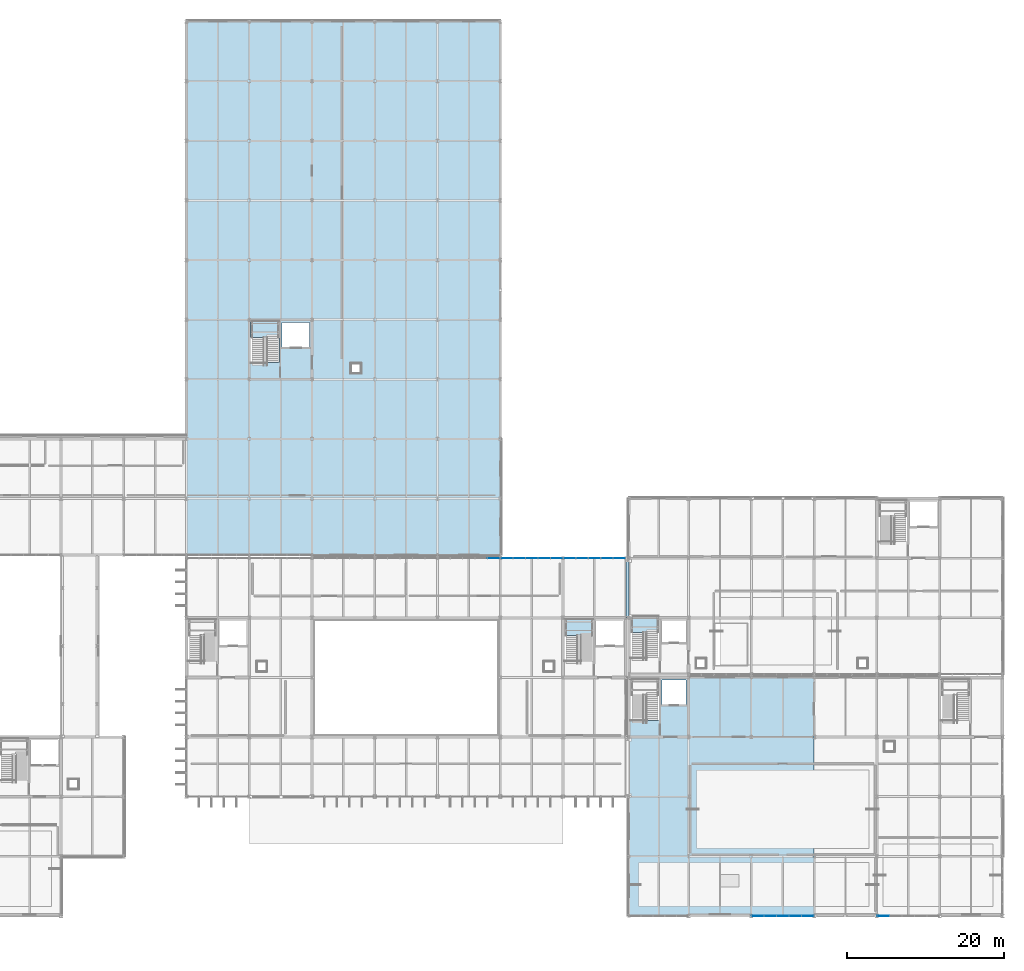
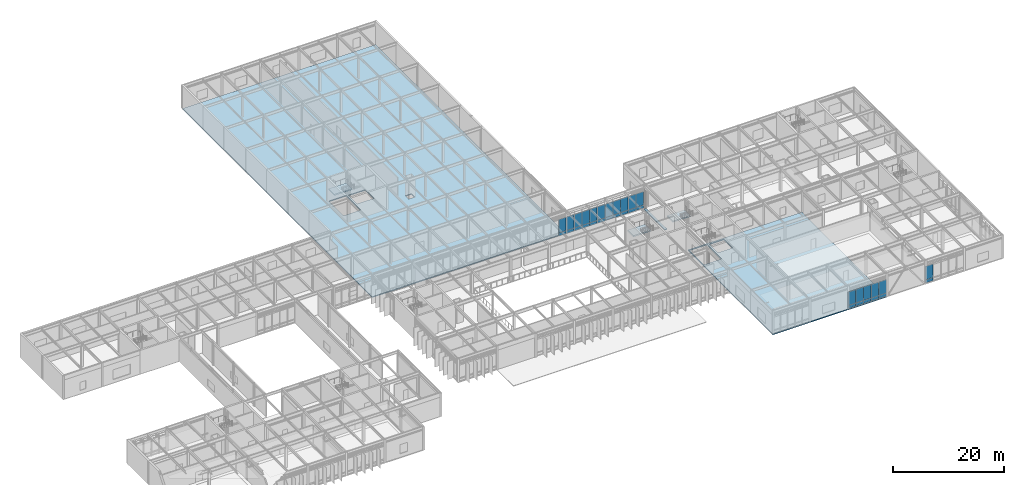
# One storey, part 65 of 94: 34 plates, 6 slabs, 8 elements without a shape of their own.
"""IFC4 building model written with IfcOpenShell, lengths in metres."""

import ifcopenshell
import ifcopenshell.guid

model = None  # the IFC model being written
_history = None  # IfcOwnerHistory: only IFC2X3 demands one
_inside = {}  # id of a spatial element -> (the spatial element, [elements in it])
_under = {}  # id of a project, library or spatial element -> (it, [spatial elements below it])
_declared = {}  # id of a project -> (the project, [libraries it declares])
_typed = {}  # id of a type object -> (the type object, [elements of that type])
_made_of = {}  # id of a material, layer set ... -> (it, [elements and type objects made of it])


def new_model(schema):
    """Start an empty IFC model of exactly this schema.

    Asked for "IFC4X3", IfcOpenShell would pick the latest addendum, in which some entities
    have other attributes; the version numbers below select the first issue.
    IFC2X3 requires an IfcOwnerHistory on every rooted entity: one is made here for all.
    """
    global model, _history
    if schema == "IFC4X3":
        model = ifcopenshell.file(schema_version=(4, 3, 0, 0))
    else:
        model = ifcopenshell.file(schema=schema)
    _inside.clear()
    _under.clear()
    _declared.clear()
    _typed.clear()
    _made_of.clear()
    _history = None
    if model.schema == "IFC2X3":
        org = make("IfcOrganization", Name="unknown")
        user = make(
            "IfcPersonAndOrganization",
            ThePerson=make("IfcPerson", FamilyName="unknown"),
            TheOrganization=org,
        )
        app = make(
            "IfcApplication",
            ApplicationDeveloper=org,
            Version="unknown",
            ApplicationFullName="unknown",
            ApplicationIdentifier="unknown",
        )
        _history = make(
            "IfcOwnerHistory",
            OwningUser=user,
            OwningApplication=app,
            ChangeAction="ADDED",
            CreationDate=0,
        )
    return model


def make(cls, **values):
    """One entity of the class cls with the attributes given. An attribute that is None is left unset."""
    return model.create_entity(
        cls, **{name: value for name, value in values.items() if value is not None}
    )


def rooted(cls, **values):
    """An entity with a GlobalId (a new one), such as an element, a storey or a relation."""
    return make(cls, GlobalId=ifcopenshell.guid.new(), OwnerHistory=_history, **values)


def si_unit(unit_type, name, prefix=None):
    """IfcSIUnit, for example si_unit("LENGTHUNIT", "METRE", prefix="MILLI")."""
    return make("IfcSIUnit", UnitType=unit_type, Prefix=prefix, Name=name)


def assignment(units):
    """IfcUnitAssignment: the units of a project."""
    return None if units is None else make("IfcUnitAssignment", Units=units)


def point(xyz):
    """IfcCartesianPoint."""
    return None if xyz is None else make("IfcCartesianPoint", Coordinates=xyz)


def direction(xyz):
    """IfcDirection."""
    return None if xyz is None else make("IfcDirection", DirectionRatios=xyz)


def frame(location, z_axis=None, x_axis=None):
    """IfcAxis2Placement3D, a coordinate frame: its origin and axes. An axis left out is left unset."""
    return make(
        "IfcAxis2Placement3D",
        Location=point(location),
        Axis=direction(z_axis),
        RefDirection=direction(x_axis),
    )


def frame_2d(location, x_axis=None):
    """IfcAxis2Placement2D, a coordinate frame in the plane: its origin and x axis."""
    return make(
        "IfcAxis2Placement2D", Location=point(location), RefDirection=direction(x_axis)
    )


def origin():
    """The frame at (0, 0, 0) with its axes left unset."""
    return frame((0.0, 0.0, 0.0))


def origin_2d():
    """The frame at (0, 0) in the plane with its x axis left unset."""
    return frame_2d((0.0, 0.0))


def place(relative_to, where):
    """IfcLocalPlacement: puts the frame where relative to a parent placement (None: the world)."""
    return make(
        "IfcLocalPlacement", PlacementRelTo=relative_to, RelativePlacement=where
    )


def context(
    kind, dimensions, precision=None, world=None, true_north=None, identifier=None
):
    """IfcGeometricRepresentationContext, for example the 3D "Model" context."""
    return make(
        "IfcGeometricRepresentationContext",
        ContextIdentifier=identifier,
        ContextType=kind,
        CoordinateSpaceDimension=dimensions,
        Precision=precision,
        WorldCoordinateSystem=world,
        TrueNorth=true_north,
    )


def subcontext(parent, identifier, kind, view, scale=None):
    """IfcGeometricRepresentationSubContext, for example "Body" below "Model"."""
    return make(
        "IfcGeometricRepresentationSubContext",
        ContextIdentifier=identifier,
        ContextType=kind,
        ParentContext=parent,
        TargetScale=scale,
        TargetView=view,
    )


def project(units=None, contexts=None):
    """IfcProject with its units and contexts."""
    return rooted(
        "IfcProject",
        Name="project",
        RepresentationContexts=contexts,
        UnitsInContext=assignment(units),
    )


def spatial(cls, under=None, at=None, **own):
    """A site, building, storey or space (cls), placed at a placement, below another one or the project."""
    s = rooted(cls, ObjectPlacement=at, **own)
    if under is not None:
        _under.setdefault(under.id(), (under, []))[1].append(s)
    return s


def polyline(points):
    """IfcPolyline through the points."""
    return make("IfcPolyline", Points=[point(p) for p in points])


def profile(cls, at=None, kind="AREA", **sizes):
    """A parametric profile (cls). Its sizes go by their IFC names, for example OverallWidth=200.0."""
    return make(cls, ProfileType=kind, Position=at, **sizes)


def rectangle(**sizes):
    """IfcRectangleProfileDef."""
    return profile("IfcRectangleProfileDef", **sizes)


def outline(outer, holes=None, kind="AREA"):
    """IfcArbitraryClosedProfileDef: a profile drawn as a closed curve; with holes, ...WithVoids."""
    if holes is None:
        return make("IfcArbitraryClosedProfileDef", ProfileType=kind, OuterCurve=outer)
    return make(
        "IfcArbitraryProfileDefWithVoids",
        ProfileType=kind,
        OuterCurve=outer,
        InnerCurves=holes,
    )


def extrude(swept, where, along, depth):
    """IfcExtrudedAreaSolid: the profile swept, set in the frame where, extruded along a direction by depth."""
    return make(
        "IfcExtrudedAreaSolid",
        SweptArea=swept,
        Position=where,
        ExtrudedDirection=direction(along),
        Depth=depth,
    )


def shape(context_of_items, identifier, shape_type, items):
    """IfcShapeRepresentation: the items that make up one representation, for example the "Body"."""
    return make(
        "IfcShapeRepresentation",
        ContextOfItems=context_of_items,
        RepresentationIdentifier=identifier,
        RepresentationType=shape_type,
        Items=items,
    )


def material(Name=None, Category=None):
    """IfcMaterial."""
    return make("IfcMaterial", Name=Name, Category=Category)


def layer(
    of_material, thickness, ventilated=None, Name=None, Category=None, Priority=None
):
    """IfcMaterialLayer: one layer of a wall or slab, of a material (None: an air gap)."""
    return make(
        "IfcMaterialLayer",
        Material=of_material,
        LayerThickness=thickness,
        IsVentilated=ventilated,
        Name=Name,
        Category=Category,
        Priority=Priority,
    )


def layer_set(layers, Name=None):
    """IfcMaterialLayerSet."""
    return make("IfcMaterialLayerSet", MaterialLayers=layers, LayerSetName=Name)


def made_of(thing, what):
    """Note that an element or type object is made of a material, layer set ...; save() writes the relation."""
    if what is not None:
        _made_of.setdefault(what.id(), (what, []))[1].append(thing)
    return thing


def type_object(cls, material=None, **own):
    """A type object (cls), such as IfcWallType, which elements share."""
    return made_of(rooted(cls, **own), material)


def element(
    cls,
    number,
    at=None,
    inside=None,
    cuts=None,
    type_object=None,
    material=None,
    context=None,
    identifier="Body",
    shape_type=None,
    held_by="IfcProductDefinitionShape",
    body=None,
    shapes=None,
    **own,
):
    """One element of the class cls, such as IfcWall. Its Tag is "e" and its number.

    at: its placement. inside: the storey or other place that contains it. cuts: it is an
    opening in that element (IfcRelVoidsElement). A single representation is given by context,
    identifier, shape_type and body (its items); several are given by shapes. held_by: the class
    of the entity that holds the representations. save() writes the other relations.
    """
    e = rooted(cls, Tag="e%d" % number, ObjectPlacement=at, **own)
    if body is not None:
        shapes = [shape(context, identifier, shape_type, body)]
    if shapes is not None:
        e.Representation = make(held_by, Representations=shapes)
    if inside is not None:
        _inside.setdefault(inside.id(), (inside, []))[1].append(e)
    if cuts is not None:
        rooted(
            "IfcRelVoidsElement", RelatingBuildingElement=cuts, RelatedOpeningElement=e
        )
    if type_object is not None:
        _typed.setdefault(type_object.id(), (type_object, []))[1].append(e)
    return made_of(e, material)


def aggregate(whole, parts):
    """IfcRelAggregates: a whole, such as a stair, and the parts it consists of."""
    return rooted("IfcRelAggregates", RelatingObject=whole, RelatedObjects=parts)


def save(model, path):
    """Write the relations noted so far, then the file.

    IfcRelAggregates (storeys below a building ...), IfcRelContainedInSpatialStructure (elements
    in a storey), IfcRelDefinesByType, IfcRelAssociatesMaterial and IfcRelDeclares: one each for
    every whole, place, type object, material and project.
    """
    for whole, parts in _under.values():
        aggregate(whole, parts)
    for where, things in _inside.values():
        rooted(
            "IfcRelContainedInSpatialStructure",
            RelatedElements=things,
            RelatingStructure=where,
        )
    for kind, things in _typed.values():
        rooted("IfcRelDefinesByType", RelatedObjects=things, RelatingType=kind)
    for what, things in _made_of.values():
        rooted("IfcRelAssociatesMaterial", RelatedObjects=things, RelatingMaterial=what)
    for by, libraries in _declared.values():
        rooted("IfcRelDeclares", RelatingContext=by, RelatedDefinitions=libraries)
    model.write(path)


model = new_model("IFC4")

# Units and contexts
model_context = context("Model", 3, precision=1e-05, world=origin(), true_north=direction((0.0, 1.0)))
body_context = subcontext(model_context, "Body", "Model", "MODEL_VIEW")
ifc_project = project(units=[si_unit("LENGTHUNIT", "METRE"), si_unit("AREAUNIT", "SQUARE_METRE"), si_unit("VOLUMEUNIT", "CUBIC_METRE"), si_unit("PLANEANGLEUNIT", "RADIAN"), si_unit("MASSUNIT", "GRAM", prefix="KILO")], contexts=[model_context])

# Site, building, storey
site_placement = place(None, origin())
site = spatial("IfcSite", under=ifc_project, at=site_placement, CompositionType="ELEMENT")
building_placement = place(site_placement, origin())
building = spatial("IfcBuilding", under=site, at=building_placement, Name="Zulena Civic Courthouse", CompositionType="ELEMENT")
storey_placement = place(building_placement, frame((0.0, 0.0, 5.39990234375)))
storey = spatial("IfcBuildingStorey", under=building, at=storey_placement, Name="L01", CompositionType="ELEMENT", Elevation=5.39990234375)

# Slab
ifc_material_1 = material(Name="Concrete C35/45", Category="concrete")
ifc_layer_1 = layer(ifc_material_1, 0.195068359375)
ifc_layer_set_1 = layer_set([ifc_layer_1], Name="Concrete C35/45")
slab_type_1 = type_object("IfcSlabType", Name="BridgeSlab_195", PredefinedType="FLOOR", material=ifc_layer_set_1)
slab_1_placement = place(storey_placement, frame((0.0, 0.0, -0.19482421875)))
element("IfcSlab", 1, at=slab_1_placement, inside=storey, type_object=slab_type_1, Name="slab:bridge:BR-43:L01", PredefinedType="FLOOR", context=body_context, shape_type="SweptSolid", body=[
    extrude(outline(polyline([(124.0, 38.0), (124.39990234375, 38.0), (124.39990234375, 45.39990234375), (124.0, 45.39990234375), (124.0, 38.0)])), origin(), (0.0, 0.0, 1.0), 0.19482421875),
])

# Curtain wall, plate
ifc_material_2 = material(Name="Double-silver low-E laminated solar-control glass", Category="glass")
curtain_wall_type = type_object("IfcCurtainWallType", Name="CW_7952x4280", PredefinedType="USERDEFINED", material=ifc_material_2)
curtain_wall_1_placement = place(storey_placement, origin())
curtain_wall_1 = element("IfcCurtainWall", 2, at=curtain_wall_1_placement, inside=storey, type_object=curtain_wall_type, Name="cw:V1:L01:3:1", ObjectType="UNITISED CURTAIN WALL", PredefinedType="USERDEFINED")
ifc_material_3 = material(Name="Ceramic-fritted insulated spandrel glass", Category="glass")
ifc_layer_2 = layer(ifc_material_3, 0.0458984375)
ifc_layer_set_2 = layer_set([ifc_layer_2], Name="Ceramic-fritted insulated spandrel glass")
plate_type_1 = type_object("IfcPlateType", Name="CWPanel_Spandrel_46", PredefinedType="CURTAIN_PANEL", material=ifc_layer_set_2)
plate_1_placement = place(storey_placement, frame((156.819091796875, 0.0, 0.070068359375), z_axis=(0.0, 0.0, 1.0), x_axis=(-1.0, 0.0, 0.0)))
plate_1 = element("IfcPlate", 3, at=plate_1_placement, type_object=plate_type_1, Name="cw:V1:L01:3:1:panS:4", PredefinedType="CURTAIN_PANEL", context=body_context, shape_type="SweptSolid", body=[
    extrude(rectangle(XDim=1.5400390625, YDim=0.0458984375, at=origin_2d()), origin(), (0.0, 0.0, 1.0), 0.669921875),
])

# Curtain wall, plates
curtain_wall_2_placement = place(storey_placement, origin())
curtain_wall_2 = element("IfcCurtainWall", 4, at=curtain_wall_2_placement, inside=storey, type_object=curtain_wall_type, Name="cw:V1:L01:3:3", ObjectType="UNITISED CURTAIN WALL", PredefinedType="USERDEFINED")
plate_2_placement = place(storey_placement, frame((147.180908203125, 0.0, 0.070068359375), z_axis=(0.0, 0.0, 1.0), x_axis=(-1.0, 0.0, 0.0)))
plate_2 = element("IfcPlate", 5, at=plate_2_placement, type_object=plate_type_1, Name="cw:V1:L01:3:3:panS:0", PredefinedType="CURTAIN_PANEL", context=body_context, shape_type="SweptSolid", body=[
    extrude(rectangle(XDim=1.5400390625, YDim=0.0458984375, at=origin_2d()), origin(), (0.0, 0.0, 1.0), 0.669921875),
])
plate_3_placement = place(storey_placement, frame((145.59033203125, 0.0, 0.070068359375), z_axis=(0.0, 0.0, 1.0), x_axis=(-1.0, 0.0, 0.0)))
plate_3 = element("IfcPlate", 6, at=plate_3_placement, type_object=plate_type_1, Name="cw:V1:L01:3:3:panS:1", PredefinedType="CURTAIN_PANEL", context=body_context, shape_type="SweptSolid", body=[
    extrude(rectangle(XDim=1.5400390625, YDim=0.0458984375, at=origin_2d()), origin(), (0.0, 0.0, 1.0), 0.669921875),
])
plate_4_placement = place(storey_placement, frame((144.0, 0.0, 0.070068359375), z_axis=(0.0, 0.0, 1.0), x_axis=(-1.0, 0.0, 0.0)))
plate_4 = element("IfcPlate", 7, at=plate_4_placement, type_object=plate_type_1, Name="cw:V1:L01:3:3:panS:2", PredefinedType="CURTAIN_PANEL", context=body_context, shape_type="SweptSolid", body=[
    extrude(rectangle(XDim=1.5400390625, YDim=0.0458984375, at=origin_2d()), origin(), (0.0, 0.0, 1.0), 0.669921875),
])
plate_5_placement = place(storey_placement, frame((142.40966796875, 0.0, 0.070068359375), z_axis=(0.0, 0.0, 1.0), x_axis=(-1.0, 0.0, 0.0)))
plate_5 = element("IfcPlate", 8, at=plate_5_placement, type_object=plate_type_1, Name="cw:V1:L01:3:3:panS:3", PredefinedType="CURTAIN_PANEL", context=body_context, shape_type="SweptSolid", body=[
    extrude(rectangle(XDim=1.5400390625, YDim=0.0458984375, at=origin_2d()), origin(), (0.0, 0.0, 1.0), 0.669921875),
])
plate_6_placement = place(storey_placement, frame((140.819091796875, 0.0, 0.070068359375), z_axis=(0.0, 0.0, 1.0), x_axis=(-1.0, 0.0, 0.0)))
plate_6 = element("IfcPlate", 9, at=plate_6_placement, type_object=plate_type_1, Name="cw:V1:L01:3:3:panS:4", PredefinedType="CURTAIN_PANEL", context=body_context, shape_type="SweptSolid", body=[
    extrude(rectangle(XDim=1.5400390625, YDim=0.0458984375, at=origin_2d()), origin(), (0.0, 0.0, 1.0), 0.669921875),
])

# Curtain wall, plate
curtain_wall_3_placement = place(storey_placement, origin())
curtain_wall_3 = element("IfcCurtainWall", 10, at=curtain_wall_3_placement, inside=storey, type_object=curtain_wall_type, Name="cw:V4:L01:1:4", ObjectType="UNITISED CURTAIN WALL", PredefinedType="USERDEFINED")
plate_7_placement = place(storey_placement, frame((107.180908203125, 45.60009765625, 0.070068359375), z_axis=(0.0, 0.0, 1.0), x_axis=(1.0, 0.0, 0.0)))
plate_7 = element("IfcPlate", 11, at=plate_7_placement, type_object=plate_type_1, Name="cw:V4:L01:1:4:panS:4", PredefinedType="CURTAIN_PANEL", context=body_context, shape_type="SweptSolid", body=[
    extrude(rectangle(XDim=1.5400390625, YDim=0.0458984375, at=origin_2d()), origin(), (0.0, 0.0, 1.0), 0.669921875),
])

# Curtain wall, plates
curtain_wall_4_placement = place(storey_placement, origin())
curtain_wall_4 = element("IfcCurtainWall", 12, at=curtain_wall_4_placement, inside=storey, type_object=curtain_wall_type, Name="cw:V4:L01:1:5", ObjectType="UNITISED CURTAIN WALL", PredefinedType="USERDEFINED")
plate_8_placement = place(storey_placement, frame((108.819091796875, 45.60009765625, 0.070068359375), z_axis=(0.0, 0.0, 1.0), x_axis=(1.0, 0.0, 0.0)))
plate_8 = element("IfcPlate", 13, at=plate_8_placement, type_object=plate_type_1, Name="cw:V4:L01:1:5:panS:0", PredefinedType="CURTAIN_PANEL", context=body_context, shape_type="SweptSolid", body=[
    extrude(rectangle(XDim=1.5400390625, YDim=0.0458984375, at=origin_2d()), origin(), (0.0, 0.0, 1.0), 0.669921875),
])
plate_9_placement = place(storey_placement, frame((110.40966796875, 45.60009765625, 0.070068359375), z_axis=(0.0, 0.0, 1.0), x_axis=(1.0, 0.0, 0.0)))
plate_9 = element("IfcPlate", 14, at=plate_9_placement, type_object=plate_type_1, Name="cw:V4:L01:1:5:panS:1", PredefinedType="CURTAIN_PANEL", context=body_context, shape_type="SweptSolid", body=[
    extrude(rectangle(XDim=1.5400390625, YDim=0.0458984375, at=origin_2d()), origin(), (0.0, 0.0, 1.0), 0.669921875),
])
plate_10_placement = place(storey_placement, frame((112.0, 45.60009765625, 0.070068359375), z_axis=(0.0, 0.0, 1.0), x_axis=(1.0, 0.0, 0.0)))
plate_10 = element("IfcPlate", 15, at=plate_10_placement, type_object=plate_type_1, Name="cw:V4:L01:1:5:panS:2", PredefinedType="CURTAIN_PANEL", context=body_context, shape_type="SweptSolid", body=[
    extrude(rectangle(XDim=1.5400390625, YDim=0.0458984375, at=origin_2d()), origin(), (0.0, 0.0, 1.0), 0.669921875),
])
plate_11_placement = place(storey_placement, frame((113.59033203125, 45.60009765625, 0.070068359375), z_axis=(0.0, 0.0, 1.0), x_axis=(1.0, 0.0, 0.0)))
plate_11 = element("IfcPlate", 16, at=plate_11_placement, type_object=plate_type_1, Name="cw:V4:L01:1:5:panS:3", PredefinedType="CURTAIN_PANEL", context=body_context, shape_type="SweptSolid", body=[
    extrude(rectangle(XDim=1.5400390625, YDim=0.0458984375, at=origin_2d()), origin(), (0.0, 0.0, 1.0), 0.669921875),
])
plate_12_placement = place(storey_placement, frame((115.180908203125, 45.60009765625, 0.070068359375), z_axis=(0.0, 0.0, 1.0), x_axis=(1.0, 0.0, 0.0)))
plate_12 = element("IfcPlate", 17, at=plate_12_placement, type_object=plate_type_1, Name="cw:V4:L01:1:5:panS:4", PredefinedType="CURTAIN_PANEL", context=body_context, shape_type="SweptSolid", body=[
    extrude(rectangle(XDim=1.5400390625, YDim=0.0458984375, at=origin_2d()), origin(), (0.0, 0.0, 1.0), 0.669921875),
])

curtain_wall_5_placement = place(storey_placement, origin())
curtain_wall_5 = element("IfcCurtainWall", 18, at=curtain_wall_5_placement, inside=storey, type_object=curtain_wall_type, Name="cw:V4:L01:1:6", ObjectType="UNITISED CURTAIN WALL", PredefinedType="USERDEFINED")
plate_13_placement = place(storey_placement, frame((116.819091796875, 45.60009765625, 0.070068359375), z_axis=(0.0, 0.0, 1.0), x_axis=(1.0, 0.0, 0.0)))
plate_13 = element("IfcPlate", 19, at=plate_13_placement, type_object=plate_type_1, Name="cw:V4:L01:1:6:panS:0", PredefinedType="CURTAIN_PANEL", context=body_context, shape_type="SweptSolid", body=[
    extrude(rectangle(XDim=1.5400390625, YDim=0.0458984375, at=origin_2d()), origin(), (0.0, 0.0, 1.0), 0.669921875),
])
plate_14_placement = place(storey_placement, frame((118.40966796875, 45.60009765625, 0.070068359375), z_axis=(0.0, 0.0, 1.0), x_axis=(1.0, 0.0, 0.0)))
plate_14 = element("IfcPlate", 20, at=plate_14_placement, type_object=plate_type_1, Name="cw:V4:L01:1:6:panS:1", PredefinedType="CURTAIN_PANEL", context=body_context, shape_type="SweptSolid", body=[
    extrude(rectangle(XDim=1.5400390625, YDim=0.0458984375, at=origin_2d()), origin(), (0.0, 0.0, 1.0), 0.669921875),
])
plate_15_placement = place(storey_placement, frame((120.0, 45.60009765625, 0.070068359375), z_axis=(0.0, 0.0, 1.0), x_axis=(1.0, 0.0, 0.0)))
plate_15 = element("IfcPlate", 21, at=plate_15_placement, type_object=plate_type_1, Name="cw:V4:L01:1:6:panS:2", PredefinedType="CURTAIN_PANEL", context=body_context, shape_type="SweptSolid", body=[
    extrude(rectangle(XDim=1.5400390625, YDim=0.0458984375, at=origin_2d()), origin(), (0.0, 0.0, 1.0), 0.669921875),
])
plate_16_placement = place(storey_placement, frame((121.59033203125, 45.60009765625, 0.070068359375), z_axis=(0.0, 0.0, 1.0), x_axis=(1.0, 0.0, 0.0)))
plate_16 = element("IfcPlate", 22, at=plate_16_placement, type_object=plate_type_1, Name="cw:V4:L01:1:6:panS:3", PredefinedType="CURTAIN_PANEL", context=body_context, shape_type="SweptSolid", body=[
    extrude(rectangle(XDim=1.5400390625, YDim=0.0458984375, at=origin_2d()), origin(), (0.0, 0.0, 1.0), 0.669921875),
])
plate_17_placement = place(storey_placement, frame((123.180908203125, 45.60009765625, 0.070068359375), z_axis=(0.0, 0.0, 1.0), x_axis=(1.0, 0.0, 0.0)))
plate_17 = element("IfcPlate", 23, at=plate_17_placement, type_object=plate_type_1, Name="cw:V4:L01:1:6:panS:4", PredefinedType="CURTAIN_PANEL", context=body_context, shape_type="SweptSolid", body=[
    extrude(rectangle(XDim=1.5400390625, YDim=0.0458984375, at=origin_2d()), origin(), (0.0, 0.0, 1.0), 0.669921875),
])

# Plate
ifc_layer_3 = layer(ifc_material_2, 0.035888671875)
ifc_layer_set_3 = layer_set([ifc_layer_3], Name="Double-silver low-E laminated solar-control glass")
plate_type_2 = type_object("IfcPlateType", Name="CWPanel_Vision_36", PredefinedType="CURTAIN_PANEL", material=ifc_layer_set_3)
plate_18_placement = place(storey_placement, frame((156.819091796875, 0.0, 0.760009765625), z_axis=(0.0, 0.0, 1.0), x_axis=(-1.0, 0.0, 0.0)))
plate_18 = element("IfcPlate", 24, at=plate_18_placement, type_object=plate_type_2, Name="cw:V1:L01:3:1:panV:4", PredefinedType="CURTAIN_PANEL", context=body_context, shape_type="SweptSolid", body=[
    extrude(rectangle(XDim=1.5400390625, YDim=0.035888671875, at=origin_2d()), origin(), (0.0, 0.0, 1.0), 2.9599609375),
])

aggregate(curtain_wall_1, [plate_18, plate_1])

plate_19_placement = place(storey_placement, frame((147.180908203125, 0.0, 0.760009765625), z_axis=(0.0, 0.0, 1.0), x_axis=(-1.0, 0.0, 0.0)))
plate_19 = element("IfcPlate", 25, at=plate_19_placement, type_object=plate_type_2, Name="cw:V1:L01:3:3:panV:0", PredefinedType="CURTAIN_PANEL", context=body_context, shape_type="SweptSolid", body=[
    extrude(rectangle(XDim=1.5400390625, YDim=0.035888671875, at=origin_2d()), origin(), (0.0, 0.0, 1.0), 2.9599609375),
])

plate_20_placement = place(storey_placement, frame((145.59033203125, 0.0, 0.760009765625), z_axis=(0.0, 0.0, 1.0), x_axis=(-1.0, 0.0, 0.0)))
plate_20 = element("IfcPlate", 26, at=plate_20_placement, type_object=plate_type_2, Name="cw:V1:L01:3:3:panV:1", PredefinedType="CURTAIN_PANEL", context=body_context, shape_type="SweptSolid", body=[
    extrude(rectangle(XDim=1.5400390625, YDim=0.035888671875, at=origin_2d()), origin(), (0.0, 0.0, 1.0), 2.9599609375),
])

plate_21_placement = place(storey_placement, frame((144.0, 0.0, 0.760009765625), z_axis=(0.0, 0.0, 1.0), x_axis=(-1.0, 0.0, 0.0)))
plate_21 = element("IfcPlate", 27, at=plate_21_placement, type_object=plate_type_2, Name="cw:V1:L01:3:3:panV:2", PredefinedType="CURTAIN_PANEL", context=body_context, shape_type="SweptSolid", body=[
    extrude(rectangle(XDim=1.5400390625, YDim=0.035888671875, at=origin_2d()), origin(), (0.0, 0.0, 1.0), 2.9599609375),
])

plate_22_placement = place(storey_placement, frame((142.40966796875, 0.0, 0.760009765625), z_axis=(0.0, 0.0, 1.0), x_axis=(-1.0, 0.0, 0.0)))
plate_22 = element("IfcPlate", 28, at=plate_22_placement, type_object=plate_type_2, Name="cw:V1:L01:3:3:panV:3", PredefinedType="CURTAIN_PANEL", context=body_context, shape_type="SweptSolid", body=[
    extrude(rectangle(XDim=1.5400390625, YDim=0.035888671875, at=origin_2d()), origin(), (0.0, 0.0, 1.0), 2.9599609375),
])

plate_23_placement = place(storey_placement, frame((140.819091796875, 0.0, 0.760009765625), z_axis=(0.0, 0.0, 1.0), x_axis=(-1.0, 0.0, 0.0)))
plate_23 = element("IfcPlate", 29, at=plate_23_placement, type_object=plate_type_2, Name="cw:V1:L01:3:3:panV:4", PredefinedType="CURTAIN_PANEL", context=body_context, shape_type="SweptSolid", body=[
    extrude(rectangle(XDim=1.5400390625, YDim=0.035888671875, at=origin_2d()), origin(), (0.0, 0.0, 1.0), 2.9599609375),
])

aggregate(curtain_wall_2, [plate_19, plate_2, plate_20, plate_3, plate_21, plate_4, plate_22, plate_5, plate_23, plate_6])

plate_24_placement = place(storey_placement, frame((107.180908203125, 45.60009765625, 0.760009765625), z_axis=(0.0, 0.0, 1.0), x_axis=(1.0, 0.0, 0.0)))
plate_24 = element("IfcPlate", 30, at=plate_24_placement, type_object=plate_type_2, Name="cw:V4:L01:1:4:panV:4", PredefinedType="CURTAIN_PANEL", context=body_context, shape_type="SweptSolid", body=[
    extrude(rectangle(XDim=1.5400390625, YDim=0.035888671875, at=origin_2d()), origin(), (0.0, 0.0, 1.0), 2.9599609375),
])

aggregate(curtain_wall_3, [plate_24, plate_7])

plate_25_placement = place(storey_placement, frame((108.819091796875, 45.60009765625, 0.760009765625), z_axis=(0.0, 0.0, 1.0), x_axis=(1.0, 0.0, 0.0)))
plate_25 = element("IfcPlate", 31, at=plate_25_placement, type_object=plate_type_2, Name="cw:V4:L01:1:5:panV:0", PredefinedType="CURTAIN_PANEL", context=body_context, shape_type="SweptSolid", body=[
    extrude(rectangle(XDim=1.5400390625, YDim=0.035888671875, at=origin_2d()), origin(), (0.0, 0.0, 1.0), 2.9599609375),
])

plate_26_placement = place(storey_placement, frame((110.40966796875, 45.60009765625, 0.760009765625), z_axis=(0.0, 0.0, 1.0), x_axis=(1.0, 0.0, 0.0)))
plate_26 = element("IfcPlate", 32, at=plate_26_placement, type_object=plate_type_2, Name="cw:V4:L01:1:5:panV:1", PredefinedType="CURTAIN_PANEL", context=body_context, shape_type="SweptSolid", body=[
    extrude(rectangle(XDim=1.5400390625, YDim=0.035888671875, at=origin_2d()), origin(), (0.0, 0.0, 1.0), 2.9599609375),
])

plate_27_placement = place(storey_placement, frame((112.0, 45.60009765625, 0.760009765625), z_axis=(0.0, 0.0, 1.0), x_axis=(1.0, 0.0, 0.0)))
plate_27 = element("IfcPlate", 33, at=plate_27_placement, type_object=plate_type_2, Name="cw:V4:L01:1:5:panV:2", PredefinedType="CURTAIN_PANEL", context=body_context, shape_type="SweptSolid", body=[
    extrude(rectangle(XDim=1.5400390625, YDim=0.035888671875, at=origin_2d()), origin(), (0.0, 0.0, 1.0), 2.9599609375),
])

plate_28_placement = place(storey_placement, frame((113.59033203125, 45.60009765625, 0.760009765625), z_axis=(0.0, 0.0, 1.0), x_axis=(1.0, 0.0, 0.0)))
plate_28 = element("IfcPlate", 34, at=plate_28_placement, type_object=plate_type_2, Name="cw:V4:L01:1:5:panV:3", PredefinedType="CURTAIN_PANEL", context=body_context, shape_type="SweptSolid", body=[
    extrude(rectangle(XDim=1.5400390625, YDim=0.035888671875, at=origin_2d()), origin(), (0.0, 0.0, 1.0), 2.9599609375),
])

plate_29_placement = place(storey_placement, frame((115.180908203125, 45.60009765625, 0.760009765625), z_axis=(0.0, 0.0, 1.0), x_axis=(1.0, 0.0, 0.0)))
plate_29 = element("IfcPlate", 35, at=plate_29_placement, type_object=plate_type_2, Name="cw:V4:L01:1:5:panV:4", PredefinedType="CURTAIN_PANEL", context=body_context, shape_type="SweptSolid", body=[
    extrude(rectangle(XDim=1.5400390625, YDim=0.035888671875, at=origin_2d()), origin(), (0.0, 0.0, 1.0), 2.9599609375),
])

aggregate(curtain_wall_4, [plate_25, plate_8, plate_26, plate_9, plate_27, plate_10, plate_28, plate_11, plate_29, plate_12])

plate_30_placement = place(storey_placement, frame((116.819091796875, 45.60009765625, 0.760009765625), z_axis=(0.0, 0.0, 1.0), x_axis=(1.0, 0.0, 0.0)))
plate_30 = element("IfcPlate", 36, at=plate_30_placement, type_object=plate_type_2, Name="cw:V4:L01:1:6:panV:0", PredefinedType="CURTAIN_PANEL", context=body_context, shape_type="SweptSolid", body=[
    extrude(rectangle(XDim=1.5400390625, YDim=0.035888671875, at=origin_2d()), origin(), (0.0, 0.0, 1.0), 2.9599609375),
])

plate_31_placement = place(storey_placement, frame((118.40966796875, 45.60009765625, 0.760009765625), z_axis=(0.0, 0.0, 1.0), x_axis=(1.0, 0.0, 0.0)))
plate_31 = element("IfcPlate", 37, at=plate_31_placement, type_object=plate_type_2, Name="cw:V4:L01:1:6:panV:1", PredefinedType="CURTAIN_PANEL", context=body_context, shape_type="SweptSolid", body=[
    extrude(rectangle(XDim=1.5400390625, YDim=0.035888671875, at=origin_2d()), origin(), (0.0, 0.0, 1.0), 2.9599609375),
])

plate_32_placement = place(storey_placement, frame((120.0, 45.60009765625, 0.760009765625), z_axis=(0.0, 0.0, 1.0), x_axis=(1.0, 0.0, 0.0)))
plate_32 = element("IfcPlate", 38, at=plate_32_placement, type_object=plate_type_2, Name="cw:V4:L01:1:6:panV:2", PredefinedType="CURTAIN_PANEL", context=body_context, shape_type="SweptSolid", body=[
    extrude(rectangle(XDim=1.5400390625, YDim=0.035888671875, at=origin_2d()), origin(), (0.0, 0.0, 1.0), 2.9599609375),
])

plate_33_placement = place(storey_placement, frame((121.59033203125, 45.60009765625, 0.760009765625), z_axis=(0.0, 0.0, 1.0), x_axis=(1.0, 0.0, 0.0)))
plate_33 = element("IfcPlate", 39, at=plate_33_placement, type_object=plate_type_2, Name="cw:V4:L01:1:6:panV:3", PredefinedType="CURTAIN_PANEL", context=body_context, shape_type="SweptSolid", body=[
    extrude(rectangle(XDim=1.5400390625, YDim=0.035888671875, at=origin_2d()), origin(), (0.0, 0.0, 1.0), 2.9599609375),
])

plate_34_placement = place(storey_placement, frame((123.180908203125, 45.60009765625, 0.760009765625), z_axis=(0.0, 0.0, 1.0), x_axis=(1.0, 0.0, 0.0)))
plate_34 = element("IfcPlate", 40, at=plate_34_placement, type_object=plate_type_2, Name="cw:V4:L01:1:6:panV:4", PredefinedType="CURTAIN_PANEL", context=body_context, shape_type="SweptSolid", body=[
    extrude(rectangle(XDim=1.5400390625, YDim=0.035888671875, at=origin_2d()), origin(), (0.0, 0.0, 1.0), 2.9599609375),
])

aggregate(curtain_wall_5, [plate_30, plate_13, plate_31, plate_14, plate_32, plate_15, plate_33, plate_16, plate_34, plate_17])

# Slabs
ifc_layer_4 = layer(ifc_material_1, 0.215087890625)
ifc_layer_set_4 = layer_set([ifc_layer_4], Name="Concrete C35/45")
slab_type_2 = type_object("IfcSlabType", Name="FloorSlab_215", PredefinedType="FLOOR", material=ifc_layer_set_4)
slab_2_placement = place(storey_placement, frame((0.0, 0.0, -0.21484375)))
element("IfcSlab", 41, at=slab_2_placement, inside=storey, type_object=slab_type_2, Name="slab:V1:L01_1", PredefinedType="FLOOR", context=body_context, shape_type="SweptSolid", body=[
    extrude(outline(polyline([(124.39990234375, 30.39990234375), (148.0, 30.39990234375), (148.0, 0.0), (124.39990234375, 0.0), (124.39990234375, 30.39990234375)]), holes=[polyline([(128.2099609375, 24.919921875), (128.2099609375, 30.2099609375), (124.590087890625, 30.2099609375), (124.590087890625, 24.919921875), (128.2099609375, 24.919921875)]), polyline([(128.60009765625, 26.89990234375), (131.64990234375, 26.89990234375), (131.64990234375, 30.050048828125), (128.60009765625, 30.050048828125), (128.60009765625, 26.89990234375)])]), origin(), (0.0, 0.0, 1.0), 0.21484375),
])
slab_3_placement = place(storey_placement, frame((0.0, 0.0, -0.21484375)))
element("IfcSlab", 42, at=slab_3_placement, inside=storey, type_object=slab_type_2, Name="slab:V5:L01_2", PredefinedType="FLOOR", context=body_context, shape_type="SweptSolid", body=[
    extrude(outline(polyline([(68.0, 114.0), (108.0, 114.0), (108.0, 46.0), (68.0, 46.0), (68.0, 61.199951171875), (68.0, 114.0)]), holes=[polyline([(79.81005859375, 70.52001953125), (79.81005859375, 75.81005859375), (76.18994140625, 75.81005859375), (76.18994140625, 70.52001953125), (79.81005859375, 70.52001953125)]), polyline([(80.199951171875, 72.5), (83.64990234375, 72.5), (83.64990234375, 75.64990234375), (80.199951171875, 75.64990234375), (80.199951171875, 72.5)]), polyline([(90.199951171875, 70.39990234375), (89.0, 70.39990234375), (89.0, 69.199951171875), (90.199951171875, 69.199951171875), (90.199951171875, 70.39990234375)])]), origin(), (0.0, 0.0, 1.0), 0.21484375),
])

# Stair, slab
ifc_material_4 = material(Name="Precast concrete C40/50", Category="concrete")
stair_type = type_object("IfcStairType", Name="HalfTurnStair_5400", PredefinedType="HALF_TURN_STAIR", material=ifc_material_4)
stair_1_placement = place(storey_placement, origin())
stair_1 = element("IfcStair", 43, at=stair_1_placement, inside=storey, type_object=stair_type, Name="stair:K3A:L01", PredefinedType="HALF_TURN_STAIR")
ifc_layer_5 = layer(ifc_material_4, 0.280029296875)
ifc_layer_set_5 = layer_set([ifc_layer_5], Name="Precast concrete C40/50")
slab_type_3 = type_object("IfcSlabType", Name="StairLandingSlab_280", PredefinedType="LANDING", material=ifc_layer_set_5)
slab_4_placement = place(storey_placement, frame((0.0, 0.0, 2.420166015625)))
slab_4 = element("IfcSlab", 44, at=slab_4_placement, type_object=slab_type_3, Name="stair:K3A:L01:LND", PredefinedType="LANDING", context=body_context, shape_type="SweptSolid", body=[
    extrude(outline(polyline([(124.580078125, 36.149658203125), (128.219970703125, 36.149658203125), (128.219970703125, 38.219970703125), (124.580078125, 38.219970703125), (124.580078125, 36.149658203125)])), origin(), (0.0, 0.0, 1.0), 0.280029296875),
])
aggregate(stair_1, [slab_4])

stair_2_placement = place(storey_placement, origin())
stair_2 = element("IfcStair", 45, at=stair_2_placement, inside=storey, type_object=stair_type, Name="stair:K4B:L01", PredefinedType="HALF_TURN_STAIR")
slab_5_placement = place(storey_placement, frame((0.0, 0.0, 2.420166015625)))
slab_5 = element("IfcSlab", 46, at=slab_5_placement, type_object=slab_type_3, Name="stair:K4B:L01:LND", PredefinedType="LANDING", context=body_context, shape_type="SweptSolid", body=[
    extrude(outline(polyline([(116.179931640625, 35.74951171875), (119.820068359375, 35.74951171875), (119.820068359375, 37.820068359375), (116.179931640625, 37.820068359375), (116.179931640625, 35.74951171875)])), origin(), (0.0, 0.0, 1.0), 0.280029296875),
])
aggregate(stair_2, [slab_5])

stair_3_placement = place(storey_placement, origin())
stair_3 = element("IfcStair", 47, at=stair_3_placement, inside=storey, type_object=stair_type, Name="stair:K5B:L01", PredefinedType="HALF_TURN_STAIR")
slab_6_placement = place(storey_placement, frame((0.0, 0.0, 2.420166015625)))
slab_6 = element("IfcSlab", 48, at=slab_6_placement, type_object=slab_type_3, Name="stair:K5B:L01:LND", PredefinedType="LANDING", context=body_context, shape_type="SweptSolid", body=[
    extrude(outline(polyline([(76.179931640625, 73.74951171875), (79.820068359375, 73.74951171875), (79.820068359375, 75.820068359375), (76.179931640625, 75.820068359375), (76.179931640625, 73.74951171875)])), origin(), (0.0, 0.0, 1.0), 0.280029296875),
])
aggregate(stair_3, [slab_6])

save(model, "model.ifc")
